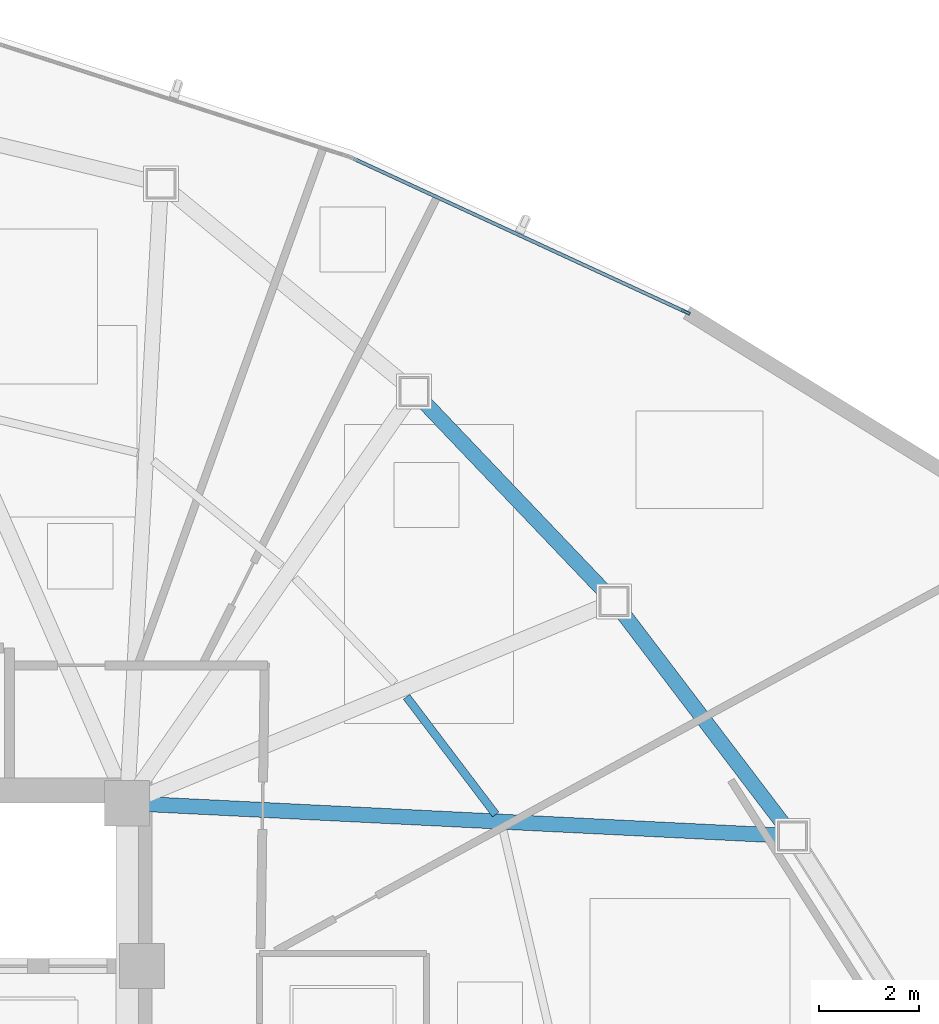
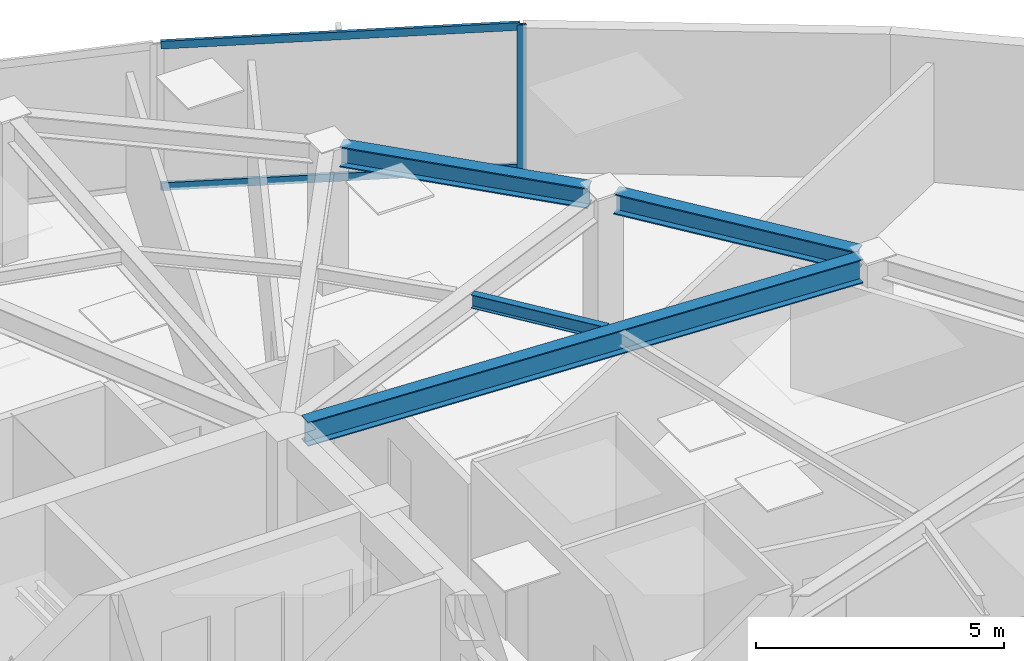
# One storey, part 9 of 17: 4 beams, 3 members, 1 element without a shape of its own.
"""IFC4 building model written with IfcOpenShell, lengths in metres."""

from ifc_helpers import new_model, si_unit, direction, frame, origin, origin_2d, place, context, subcontext, project, spatial, hollow_rectangle, i_section, extrude, source, transform, mapped, material, layer, layer_set, material_profile, profile_set, type_object, type_shapes, element, aggregate, save


model = new_model("IFC4")

# Units and contexts
model_context = context("Model", 3, precision=1e-05, world=origin(), true_north=direction((0.0, 1.0)))
body_context = subcontext(model_context, "Body", "Model", "MODEL_VIEW")
ifc_project = project(units=[si_unit("LENGTHUNIT", "METRE"), si_unit("AREAUNIT", "SQUARE_METRE"), si_unit("VOLUMEUNIT", "CUBIC_METRE"), si_unit("PLANEANGLEUNIT", "RADIAN"), si_unit("MASSUNIT", "GRAM", prefix="KILO")], contexts=[model_context])

# Site, building, storey
site_placement = place(None, origin())
site = spatial("IfcSite", under=ifc_project, at=site_placement, CompositionType="ELEMENT")
building_placement = place(site_placement, origin())
building = spatial("IfcBuilding", under=site, at=building_placement, Name="Tavelor Broadcast Tower", CompositionType="ELEMENT")
storey_placement = place(building_placement, frame((0.0, 0.0, 196.449951171875)))
storey = spatial("IfcBuildingStorey", under=building, at=storey_placement, Name="L47", CompositionType="ELEMENT", Elevation=196.449951171875)

# Beams
ifc_material_1 = material(Name="Steel S355", Category="steel")
ifc_material_profile_1 = material_profile(ifc_material_1, i_section(OverallWidth=0.159912109375, OverallDepth=0.330078125, WebThickness=0.007568359375, FlangeThickness=0.011474609375, at=origin_2d()), Name="IPE 330")
ifc_profile_set_1 = profile_set([ifc_material_profile_1], Name="Steel S355")
beam_type_1 = type_object("IfcBeamType", Name="Composite Floor Joist T4 IPE 330", PredefinedType="JOIST", material=ifc_profile_set_1)
beam_1_placement = place(storey_placement, frame((63.959716796875, 50.9755859375, 3.385009765625), z_axis=(-0.604116162247, 0.796896268351, 0.0), x_axis=(-0.796896268351, -0.604116162247, 0.0)))
element("IfcBeam", 1, at=beam_1_placement, inside=storey, type_object=beam_type_1, Name="L47 Secondary Composite Floor Joist 14", PredefinedType="JOIST", context=body_context, shape_type="SweptSolid", body=[
    extrude(i_section(OverallWidth=0.159912109375, OverallDepth=0.330078125, WebThickness=0.007568359375, FlangeThickness=0.011474609375, at=origin_2d()), origin(), (0.0, 0.0, 1.0), 2.94580078125),
])
ifc_material_profile_2 = material_profile(ifc_material_1, i_section(OverallWidth=0.300048828125, OverallDepth=0.5, WebThickness=0.014404296875, FlangeThickness=0.028076171875, at=origin_2d()), Name="HEB 500")
ifc_profile_set_2 = profile_set([ifc_material_profile_2], Name="Steel S355")
beam_type_2 = type_object("IfcBeamType", Name="Perimeter Spandrel Beam T4 HEB 500", PredefinedType="SPANDREL", material=ifc_profile_set_2)
beam_2_placement = place(storey_placement, frame((69.711669921875, 50.7734375, 3.300048828125), z_axis=(-0.605502841959, 0.795843143075, 0.0), x_axis=(-0.795843143075, -0.605502841959, 0.0)))
element("IfcBeam", 2, at=beam_2_placement, inside=storey, type_object=beam_type_2, Name="L47 Framed-Tube Ring Spandrel 14", PredefinedType="SPANDREL", context=body_context, shape_type="SweptSolid", body=[
    extrude(i_section(OverallWidth=0.300048828125, OverallDepth=0.5, WebThickness=0.014404296875, FlangeThickness=0.028076171875, at=origin_2d()), origin(), (0.0, 0.0, 1.0), 5.310302734375),
])
beam_3_placement = place(storey_placement, frame((66.123291015625, 55.437255859375, 3.300048828125), z_axis=(-0.689936010055, 0.723870362723, 0.0), x_axis=(-0.723870362723, -0.689936010055, 0.0)))
element("IfcBeam", 3, at=beam_3_placement, inside=storey, type_object=beam_type_2, Name="L47 Framed-Tube Ring Spandrel 15", PredefinedType="SPANDREL", context=body_context, shape_type="SweptSolid", body=[
    extrude(i_section(OverallWidth=0.300048828125, OverallDepth=0.5, WebThickness=0.014404296875, FlangeThickness=0.028076171875, at=origin_2d()), origin(), (0.0, 0.0, 1.0), 5.208740234375),
])
ifc_material_profile_3 = material_profile(ifc_material_1, i_section(OverallWidth=0.300048828125, OverallDepth=0.590087890625, WebThickness=0.012939453125, FlangeThickness=0.02490234375, at=origin_2d()), Name="HEA 600")
ifc_profile_set_3 = profile_set([ifc_material_profile_3], Name="Steel S355")
beam_type_3 = type_object("IfcBeamType", Name="Radial Floor Girder T4 HEA 600", PredefinedType="BEAM", material=ifc_profile_set_3)
beam_4_placement = place(storey_placement, frame((57.031494140625, 51.1787109375, 3.255126953125), z_axis=(0.998783784198, -0.049304689662, 0.0), x_axis=(0.049304689662, 0.998783784198, 0.0)))
element("IfcBeam", 4, at=beam_4_placement, inside=storey, type_object=beam_type_3, Name="L47 Radial Primary Floor Girder 14", PredefinedType="BEAM", context=body_context, shape_type="SweptSolid", body=[
    extrude(i_section(OverallWidth=0.300048828125, OverallDepth=0.590087890625, WebThickness=0.012939453125, FlangeThickness=0.02490234375, at=origin_2d()), origin(), (0.0, 0.0, 1.0), 12.582275390625),
])

# Curtain wall, members
ifc_material_2 = material(Name="Architectural Anodized Aluminium", Category="aluminium")
ifc_layer = layer(ifc_material_2, 0.18994140625)
ifc_layer_set = layer_set([ifc_layer], Name="Architectural Anodized Aluminium")
curtain_wall_type = type_object("IfcCurtainWallType", Name="Tower Mid-Zone Acoustic Curtain Wall CW03", PredefinedType="NOTDEFINED", material=ifc_layer_set)
curtain_wall_placement = place(storey_placement, origin())
curtain_wall = element("IfcCurtainWall", 5, at=curtain_wall_placement, inside=storey, type_object=curtain_wall_type, Name="L47 Curtain Wall CW03 Run 513", PredefinedType="NOTDEFINED")
ifc_material_profile_4 = material_profile(ifc_material_2, hollow_rectangle(XDim=0.068115234375, YDim=0.18994140625, WallThickness=0.02197265625, at=origin_2d()), Name="RHS 68x190x22")
ifc_profile_set_4 = profile_set([ifc_material_profile_4], Name="Architectural Anodized Aluminium")
member_type_1 = type_object("IfcMemberType", Name="CW03 Extruded Aluminium Mullion 68x190", PredefinedType="MULLION", material=ifc_profile_set_4)
shared_shape_1 = source(origin(), body_context, "Body", "SweptSolid", [
    extrude(hollow_rectangle(XDim=0.068115234375, YDim=0.18994140625, WallThickness=0.02197265625, at=origin_2d()), origin(), (0.0, 0.0, 1.0), 3.550048828125),
])
type_shapes(member_type_1, [shared_shape_1])
member_1_placement = place(storey_placement, frame((67.75390625, 61.0078125, 0.0), z_axis=(0.0, 0.0, 1.0), x_axis=(-0.419056464654, -0.907960175025, 0.0)))
member_1 = element("IfcMember", 6, at=member_1_placement, type_object=member_type_1, Name="CW03 mullion 1", PredefinedType="MULLION", context=body_context, shape_type="MappedRepresentation", body=[
    mapped(shared_shape_1, transform((0.0, 0.0, 0.0), scale=1.0)),
])
ifc_material_profile_5 = material_profile(ifc_material_2, hollow_rectangle(XDim=0.068115234375, YDim=0.18994140625, WallThickness=0.02197265625, at=origin_2d()), Name="RHS 68x190x22")
ifc_profile_set_5 = profile_set([ifc_material_profile_5], Name="Architectural Anodized Aluminium")
member_type_2 = type_object("IfcMemberType", Name="CW03 Extruded Aluminium Transom 68x190", PredefinedType="USERDEFINED", material=ifc_profile_set_5)
shared_shape_2 = source(origin(), body_context, "Body", "SweptSolid", [
    extrude(hollow_rectangle(XDim=0.068115234375, YDim=0.18994140625, WallThickness=0.02197265625, at=origin_2d()), origin(), (0.0, 0.0, 1.0), 7.268798828125),
])
type_shapes(member_type_2, [shared_shape_2])
member_2_placement = place(storey_placement, frame((67.722900390625, 61.02197265625, 0.033935546875), z_axis=(-0.90795053673, 0.419077347099, 0.0), x_axis=(-0.419077347099, -0.90795053673, 0.0)))
member_2 = element("IfcMember", 7, at=member_2_placement, type_object=member_type_2, Name="CW03 transom 1.1", ObjectType="TRANSOM", PredefinedType="USERDEFINED", context=body_context, shape_type="MappedRepresentation", body=[
    mapped(shared_shape_2, transform((0.0, 0.0, 0.0), scale=1.0)),
])
member_3_placement = place(storey_placement, frame((67.722900390625, 61.02197265625, 3.51611328125), z_axis=(-0.90795053673, 0.419077347099, 0.0), x_axis=(-0.419077347099, -0.90795053673, 0.0)))
member_3 = element("IfcMember", 8, at=member_3_placement, type_object=member_type_2, Name="CW03 transom 1.2", ObjectType="TRANSOM", PredefinedType="USERDEFINED", context=body_context, shape_type="MappedRepresentation", body=[
    mapped(shared_shape_2, transform((0.0, 0.0, 0.0), scale=1.0)),
])
aggregate(curtain_wall, [member_1, member_2, member_3])

save(model, "model.ifc")
